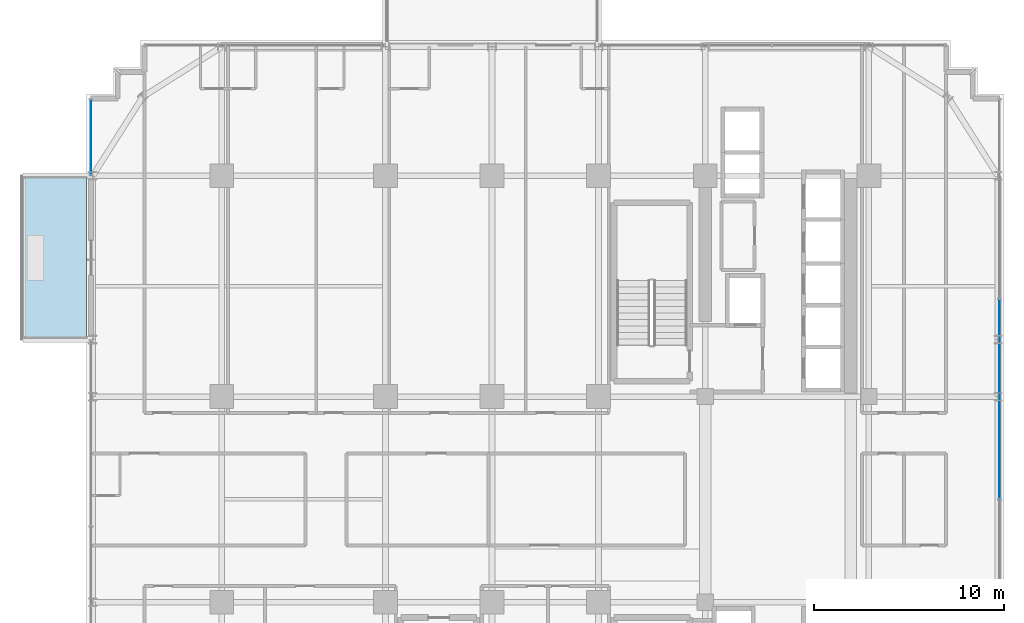
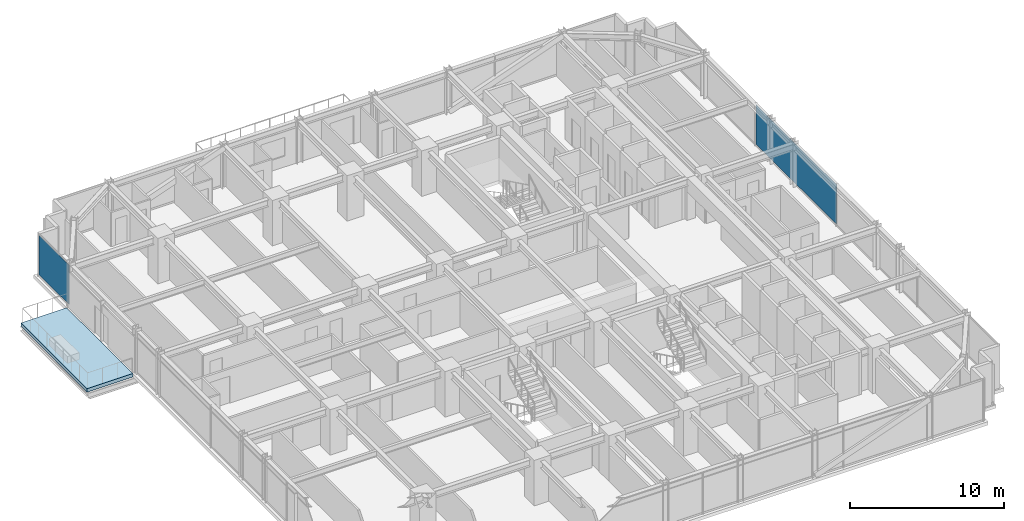
# One storey, part 29 of 40: 2 plates, 1 slab, 2 elements without a shape of their own.
"""IFC4 building model written with IfcOpenShell, lengths in metres."""

import ifcopenshell
import ifcopenshell.guid

model = None  # the IFC model being written
_history = None  # IfcOwnerHistory: only IFC2X3 demands one
_inside = {}  # id of a spatial element -> (the spatial element, [elements in it])
_under = {}  # id of a project, library or spatial element -> (it, [spatial elements below it])
_declared = {}  # id of a project -> (the project, [libraries it declares])
_typed = {}  # id of a type object -> (the type object, [elements of that type])
_made_of = {}  # id of a material, layer set ... -> (it, [elements and type objects made of it])


def new_model(schema):
    """Start an empty IFC model of exactly this schema.

    Asked for "IFC4X3", IfcOpenShell would pick the latest addendum, in which some entities
    have other attributes; the version numbers below select the first issue.
    IFC2X3 requires an IfcOwnerHistory on every rooted entity: one is made here for all.
    """
    global model, _history
    if schema == "IFC4X3":
        model = ifcopenshell.file(schema_version=(4, 3, 0, 0))
    else:
        model = ifcopenshell.file(schema=schema)
    _inside.clear()
    _under.clear()
    _declared.clear()
    _typed.clear()
    _made_of.clear()
    _history = None
    if model.schema == "IFC2X3":
        org = make("IfcOrganization", Name="unknown")
        user = make(
            "IfcPersonAndOrganization",
            ThePerson=make("IfcPerson", FamilyName="unknown"),
            TheOrganization=org,
        )
        app = make(
            "IfcApplication",
            ApplicationDeveloper=org,
            Version="unknown",
            ApplicationFullName="unknown",
            ApplicationIdentifier="unknown",
        )
        _history = make(
            "IfcOwnerHistory",
            OwningUser=user,
            OwningApplication=app,
            ChangeAction="ADDED",
            CreationDate=0,
        )
    return model


def make(cls, **values):
    """One entity of the class cls with the attributes given. An attribute that is None is left unset."""
    return model.create_entity(
        cls, **{name: value for name, value in values.items() if value is not None}
    )


def rooted(cls, **values):
    """An entity with a GlobalId (a new one), such as an element, a storey or a relation."""
    return make(cls, GlobalId=ifcopenshell.guid.new(), OwnerHistory=_history, **values)


def si_unit(unit_type, name, prefix=None):
    """IfcSIUnit, for example si_unit("LENGTHUNIT", "METRE", prefix="MILLI")."""
    return make("IfcSIUnit", UnitType=unit_type, Prefix=prefix, Name=name)


def assignment(units):
    """IfcUnitAssignment: the units of a project."""
    return None if units is None else make("IfcUnitAssignment", Units=units)


def point(xyz):
    """IfcCartesianPoint."""
    return None if xyz is None else make("IfcCartesianPoint", Coordinates=xyz)


def direction(xyz):
    """IfcDirection."""
    return None if xyz is None else make("IfcDirection", DirectionRatios=xyz)


def frame(location, z_axis=None, x_axis=None):
    """IfcAxis2Placement3D, a coordinate frame: its origin and axes. An axis left out is left unset."""
    return make(
        "IfcAxis2Placement3D",
        Location=point(location),
        Axis=direction(z_axis),
        RefDirection=direction(x_axis),
    )


def frame_2d(location, x_axis=None):
    """IfcAxis2Placement2D, a coordinate frame in the plane: its origin and x axis."""
    return make(
        "IfcAxis2Placement2D", Location=point(location), RefDirection=direction(x_axis)
    )


def origin():
    """The frame at (0, 0, 0) with its axes left unset."""
    return frame((0.0, 0.0, 0.0))


def origin_2d():
    """The frame at (0, 0) in the plane with its x axis left unset."""
    return frame_2d((0.0, 0.0))


def place(relative_to, where):
    """IfcLocalPlacement: puts the frame where relative to a parent placement (None: the world)."""
    return make(
        "IfcLocalPlacement", PlacementRelTo=relative_to, RelativePlacement=where
    )


def context(
    kind, dimensions, precision=None, world=None, true_north=None, identifier=None
):
    """IfcGeometricRepresentationContext, for example the 3D "Model" context."""
    return make(
        "IfcGeometricRepresentationContext",
        ContextIdentifier=identifier,
        ContextType=kind,
        CoordinateSpaceDimension=dimensions,
        Precision=precision,
        WorldCoordinateSystem=world,
        TrueNorth=true_north,
    )


def subcontext(parent, identifier, kind, view, scale=None):
    """IfcGeometricRepresentationSubContext, for example "Body" below "Model"."""
    return make(
        "IfcGeometricRepresentationSubContext",
        ContextIdentifier=identifier,
        ContextType=kind,
        ParentContext=parent,
        TargetScale=scale,
        TargetView=view,
    )


def project(units=None, contexts=None):
    """IfcProject with its units and contexts."""
    return rooted(
        "IfcProject",
        Name="project",
        RepresentationContexts=contexts,
        UnitsInContext=assignment(units),
    )


def spatial(cls, under=None, at=None, **own):
    """A site, building, storey or space (cls), placed at a placement, below another one or the project."""
    s = rooted(cls, ObjectPlacement=at, **own)
    if under is not None:
        _under.setdefault(under.id(), (under, []))[1].append(s)
    return s


def polyline(points):
    """IfcPolyline through the points."""
    return make("IfcPolyline", Points=[point(p) for p in points])


def profile(cls, at=None, kind="AREA", **sizes):
    """A parametric profile (cls). Its sizes go by their IFC names, for example OverallWidth=200.0."""
    return make(cls, ProfileType=kind, Position=at, **sizes)


def rectangle(**sizes):
    """IfcRectangleProfileDef."""
    return profile("IfcRectangleProfileDef", **sizes)


def outline(outer, holes=None, kind="AREA"):
    """IfcArbitraryClosedProfileDef: a profile drawn as a closed curve; with holes, ...WithVoids."""
    if holes is None:
        return make("IfcArbitraryClosedProfileDef", ProfileType=kind, OuterCurve=outer)
    return make(
        "IfcArbitraryProfileDefWithVoids",
        ProfileType=kind,
        OuterCurve=outer,
        InnerCurves=holes,
    )


def extrude(swept, where, along, depth):
    """IfcExtrudedAreaSolid: the profile swept, set in the frame where, extruded along a direction by depth."""
    return make(
        "IfcExtrudedAreaSolid",
        SweptArea=swept,
        Position=where,
        ExtrudedDirection=direction(along),
        Depth=depth,
    )


def shape(context_of_items, identifier, shape_type, items):
    """IfcShapeRepresentation: the items that make up one representation, for example the "Body"."""
    return make(
        "IfcShapeRepresentation",
        ContextOfItems=context_of_items,
        RepresentationIdentifier=identifier,
        RepresentationType=shape_type,
        Items=items,
    )


def source(mapping_origin, context_of_items, identifier, shape_type, items):
    """IfcRepresentationMap: a shape defined once, which mapped items show again and again."""
    return make(
        "IfcRepresentationMap",
        MappingOrigin=mapping_origin,
        MappedRepresentation=shape(context_of_items, identifier, shape_type, items),
    )


def transform(
    local_origin,
    x_axis=None,
    y_axis=None,
    z_axis=None,
    scale=None,
    scale2=None,
    scale3=None,
    uniform=True,
):
    """IfcCartesianTransformationOperator3D, or its non-uniform kind. x_axis, y_axis, z_axis: its Axis1, 2, 3."""
    if uniform:
        return make(
            "IfcCartesianTransformationOperator3D",
            Axis1=direction(x_axis),
            Axis2=direction(y_axis),
            LocalOrigin=point(local_origin),
            Scale=scale,
            Axis3=direction(z_axis),
        )
    return make(
        "IfcCartesianTransformationOperator3DnonUniform",
        Axis1=direction(x_axis),
        Axis2=direction(y_axis),
        LocalOrigin=point(local_origin),
        Scale=scale,
        Axis3=direction(z_axis),
        Scale2=scale2,
        Scale3=scale3,
    )


def mapped(mapping_source, mapping_target):
    """IfcMappedItem: shows the shape of a source again, moved by a transform."""
    return make(
        "IfcMappedItem", MappingSource=mapping_source, MappingTarget=mapping_target
    )


def material(Name=None, Category=None):
    """IfcMaterial."""
    return make("IfcMaterial", Name=Name, Category=Category)


def layer(
    of_material, thickness, ventilated=None, Name=None, Category=None, Priority=None
):
    """IfcMaterialLayer: one layer of a wall or slab, of a material (None: an air gap)."""
    return make(
        "IfcMaterialLayer",
        Material=of_material,
        LayerThickness=thickness,
        IsVentilated=ventilated,
        Name=Name,
        Category=Category,
        Priority=Priority,
    )


def layer_set(layers, Name=None):
    """IfcMaterialLayerSet."""
    return make("IfcMaterialLayerSet", MaterialLayers=layers, LayerSetName=Name)


def made_of(thing, what):
    """Note that an element or type object is made of a material, layer set ...; save() writes the relation."""
    if what is not None:
        _made_of.setdefault(what.id(), (what, []))[1].append(thing)
    return thing


def type_object(cls, material=None, **own):
    """A type object (cls), such as IfcWallType, which elements share."""
    return made_of(rooted(cls, **own), material)


def element(
    cls,
    number,
    at=None,
    inside=None,
    cuts=None,
    type_object=None,
    material=None,
    context=None,
    identifier="Body",
    shape_type=None,
    held_by="IfcProductDefinitionShape",
    body=None,
    shapes=None,
    **own,
):
    """One element of the class cls, such as IfcWall. Its Tag is "e" and its number.

    at: its placement. inside: the storey or other place that contains it. cuts: it is an
    opening in that element (IfcRelVoidsElement). A single representation is given by context,
    identifier, shape_type and body (its items); several are given by shapes. held_by: the class
    of the entity that holds the representations. save() writes the other relations.
    """
    e = rooted(cls, Tag="e%d" % number, ObjectPlacement=at, **own)
    if body is not None:
        shapes = [shape(context, identifier, shape_type, body)]
    if shapes is not None:
        e.Representation = make(held_by, Representations=shapes)
    if inside is not None:
        _inside.setdefault(inside.id(), (inside, []))[1].append(e)
    if cuts is not None:
        rooted(
            "IfcRelVoidsElement", RelatingBuildingElement=cuts, RelatedOpeningElement=e
        )
    if type_object is not None:
        _typed.setdefault(type_object.id(), (type_object, []))[1].append(e)
    return made_of(e, material)


def aggregate(whole, parts):
    """IfcRelAggregates: a whole, such as a stair, and the parts it consists of."""
    return rooted("IfcRelAggregates", RelatingObject=whole, RelatedObjects=parts)


def save(model, path):
    """Write the relations noted so far, then the file.

    IfcRelAggregates (storeys below a building ...), IfcRelContainedInSpatialStructure (elements
    in a storey), IfcRelDefinesByType, IfcRelAssociatesMaterial and IfcRelDeclares: one each for
    every whole, place, type object, material and project.
    """
    for whole, parts in _under.values():
        aggregate(whole, parts)
    for where, things in _inside.values():
        rooted(
            "IfcRelContainedInSpatialStructure",
            RelatedElements=things,
            RelatingStructure=where,
        )
    for kind, things in _typed.values():
        rooted("IfcRelDefinesByType", RelatedObjects=things, RelatingType=kind)
    for what, things in _made_of.values():
        rooted("IfcRelAssociatesMaterial", RelatedObjects=things, RelatingMaterial=what)
    for by, libraries in _declared.values():
        rooted("IfcRelDeclares", RelatingContext=by, RelatedDefinitions=libraries)
    model.write(path)


model = new_model("IFC4")

# Units and contexts
model_context = context("Model", 3, precision=1e-05, world=origin(), true_north=direction((0.0, 1.0)))
body_context = subcontext(model_context, "Body", "Model", "MODEL_VIEW")
ifc_project = project(units=[si_unit("LENGTHUNIT", "METRE"), si_unit("AREAUNIT", "SQUARE_METRE"), si_unit("VOLUMEUNIT", "CUBIC_METRE"), si_unit("PLANEANGLEUNIT", "RADIAN"), si_unit("MASSUNIT", "GRAM", prefix="KILO")], contexts=[model_context])

# Site, building, storey
site_placement = place(None, origin())
site = spatial("IfcSite", under=ifc_project, at=site_placement, CompositionType="ELEMENT")
building_placement = place(site_placement, origin())
building = spatial("IfcBuilding", under=site, at=building_placement, Name="Nahalor Promenade Grand Hotel", CompositionType="ELEMENT")
storey_placement = place(building_placement, frame((0.0, 0.0, 91.949951171875)))
storey = spatial("IfcBuildingStorey", under=building, at=storey_placement, Name="L22", CompositionType="ELEMENT", Elevation=91.949951171875)

# Slab
ifc_material_1 = material(Name="Concrete B-50 (C40/50)", Category="concrete")
ifc_layer_1 = layer(ifc_material_1, 0.280029296875)
ifc_layer_set_1 = layer_set([ifc_layer_1], Name="Concrete B-50 (C40/50)")
slab_type = type_object("IfcSlabType", Name="Slab-Balcony-280", PredefinedType="FLOOR", material=ifc_layer_set_1)
slab_placement = place(storey_placement, frame((0.0, 0.0, -0.280029296875)))
element("IfcSlab", 1, at=slab_placement, inside=storey, type_object=slab_type, Name="L22 Cantilevered Planted Balcony 2", PredefinedType="FLOOR", context=body_context, shape_type="SweptSolid", body=[
    extrude(outline(polyline([(-27.530029296875, 8.39990234375), (-24.10009765625, 8.39990234375), (-24.10009765625, 17.0), (-27.530029296875, 17.0), (-27.530029296875, 8.39990234375)])), origin(), (0.0, 0.0, 1.0), 0.280029296875),
])

# Curtain wall, plate
ifc_material_2 = material(Name="Anodised Bronze Aluminium EN AW-6063 T6", Category="aluminium")
curtain_wall_type = type_object("IfcCurtainWallType", Name="CW2 Typical Hotel Flush Bronze Unitised Curtain Wall", PredefinedType="USERDEFINED", material=ifc_material_2)
curtain_wall_1_placement = place(storey_placement, origin())
curtain_wall_1 = element("IfcCurtainWall", 2, at=curtain_wall_1_placement, inside=storey, type_object=curtain_wall_type, Name="L22 Curtain Wall CW-L22-W-3", ObjectType="UNITISED_CURTAIN_WALL", PredefinedType="USERDEFINED")
ifc_material_3 = material(Name="Low-E Laminated Solar Glass", Category="glass")
ifc_layer_2 = layer(ifc_material_3, 0.028076171875)
ifc_layer_set_2 = layer_set([ifc_layer_2], Name="Low-E Laminated Solar Glass")
plate_type = type_object("IfcPlateType", Name="CWP2 Bronze Low-E Vision IGU 28mm", PredefinedType="CURTAIN_PANEL", material=ifc_layer_set_2)
shared_shape_1 = source(origin(), body_context, "Body", "SweptSolid", [
    extrude(rectangle(XDim=3.929931640625, YDim=0.028076171875, at=origin_2d()), origin(), (0.0, 0.0, 1.0), 3.1201171875),
])
plate_1_placement = place(storey_placement, frame((-23.860107421875, 19.030029296875, 0.1298828125), z_axis=(0.0, 0.0, 1.0), x_axis=(0.0, 1.0, 0.0)))
plate_1 = element("IfcPlate", 3, at=plate_1_placement, type_object=plate_type, Name="CW-L22-W-3 Glazing Panel 0-0", PredefinedType="CURTAIN_PANEL", context=body_context, shape_type="MappedRepresentation", body=[
    mapped(shared_shape_1, transform((0.0, 0.0, 0.0), scale=1.0)),
])
aggregate(curtain_wall_1, [plate_1])

curtain_wall_2_placement = place(storey_placement, origin())
curtain_wall_2 = element("IfcCurtainWall", 4, at=curtain_wall_2_placement, inside=storey, type_object=curtain_wall_type, Name="L22 Curtain Wall CW-L22-E-1", ObjectType="UNITISED_CURTAIN_WALL", PredefinedType="USERDEFINED")
shared_shape_2 = source(origin(), body_context, "Body", "SweptSolid", [
    extrude(rectangle(XDim=10.465087890625, YDim=0.028076171875, at=origin_2d()), origin(), (0.0, 0.0, 1.0), 3.1201171875),
])
plate_2_placement = place(storey_placement, frame((23.860107421875, 5.264892578125, 0.1298828125), z_axis=(0.0, 0.0, 1.0), x_axis=(0.0, 1.0, 0.0)))
plate_2 = element("IfcPlate", 5, at=plate_2_placement, type_object=plate_type, Name="CW-L22-E-1 Glazing Panel 2-0", PredefinedType="CURTAIN_PANEL", context=body_context, shape_type="MappedRepresentation", body=[
    mapped(shared_shape_2, transform((0.0, 0.0, 0.0), scale=1.0)),
])
aggregate(curtain_wall_2, [plate_2])

save(model, "model.ifc")
